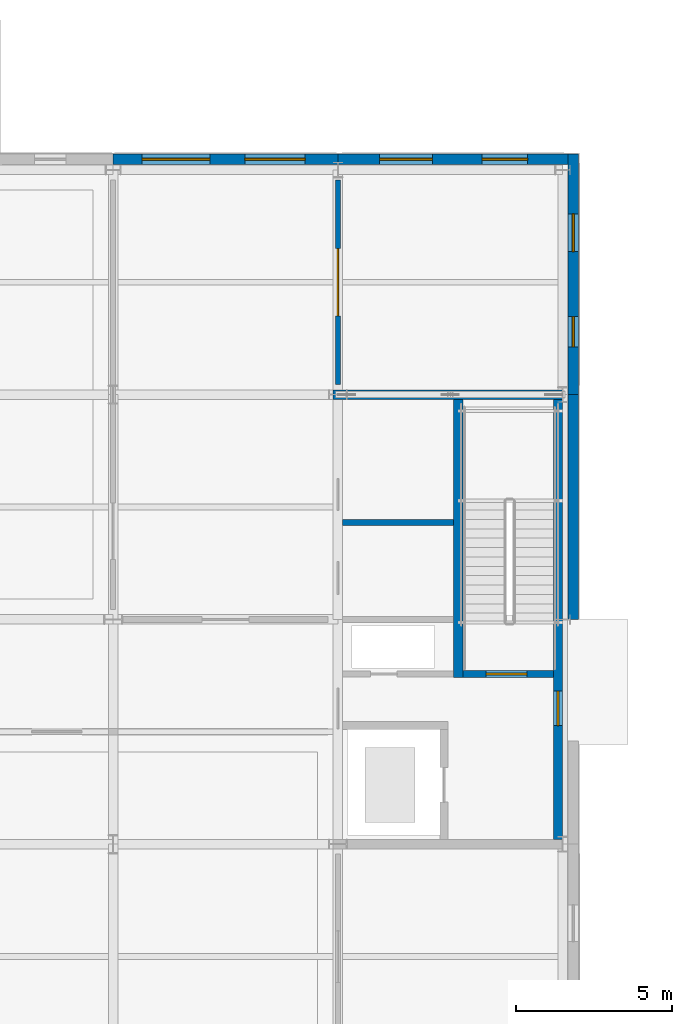
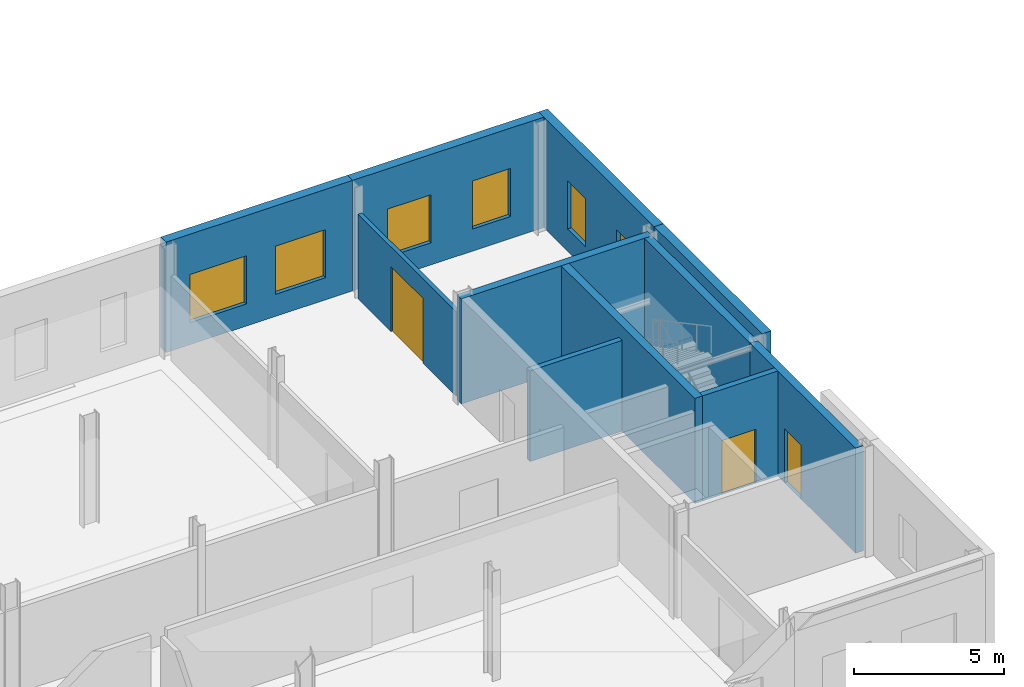
# One storey, part 65 of 92: 11 walls, 6 windows, 3 doors, 9 openings.
"""IFC4 building model written with IfcOpenShell, lengths in metres."""

from ifc_helpers import new_model, si_unit, direction, frame, frame_2d, origin, place, context, subcontext, project, spatial, rectangle, extrude, material, layer, layer_set, type_object, element, fill, save


model = new_model("IFC4")

# Units and contexts
model_context = context("Model", 3, precision=1e-05, world=origin(), true_north=direction((0.0, 1.0)))
body_context = subcontext(model_context, "Body", "Model", "MODEL_VIEW")
ifc_project = project(units=[si_unit("LENGTHUNIT", "METRE"), si_unit("AREAUNIT", "SQUARE_METRE"), si_unit("VOLUMEUNIT", "CUBIC_METRE"), si_unit("PLANEANGLEUNIT", "RADIAN"), si_unit("MASSUNIT", "GRAM", prefix="KILO")], contexts=[model_context])

# Site, building, storey
site_placement = place(None, origin())
site = spatial("IfcSite", under=ifc_project, at=site_placement, CompositionType="ELEMENT")
building_placement = place(site_placement, origin())
building = spatial("IfcBuilding", under=site, at=building_placement, Name="Zlatovets Crest Museum", CompositionType="ELEMENT")
storey_placement = place(building_placement, origin())
storey = spatial("IfcBuildingStorey", under=building, at=storey_placement, Name="L00", CompositionType="ELEMENT", Elevation=0.0)

# Wall
ifc_material_1 = material(Name="Concrete C35/45", Category="concrete")
ifc_layer_1 = layer(ifc_material_1, 0.300048828125)
ifc_layer_set_1 = layer_set([ifc_layer_1], Name="Concrete C35/45")
wall_type_1 = type_object("IfcWallType", Name="CoreWall_SW01", PredefinedType="SHEAR", material=ifc_layer_set_1)
wall_1_placement = place(storey_placement, frame((100.64990234375, 108.0, 0.0), z_axis=(0.0, 0.0, 1.0), x_axis=(1.0, 0.0, 0.0)))
element("IfcWall", 1, at=wall_1_placement, inside=storey, type_object=wall_type_1, Name="Core C6 L00 North Shear Wall", PredefinedType="SHEAR", context=body_context, shape_type="SweptSolid", body=[
    extrude(rectangle(XDim=7.35009765625, YDim=0.300048828125, at=frame_2d((3.675048828125, 0.0))), origin(), (0.0, 0.0, 1.0), 4.280029296875),
])

# Wall, opening, door
wall_2_placement = place(storey_placement, frame((107.85009765625, 93.75, 0.0), z_axis=(0.0, 0.0, 1.0), x_axis=(0.0, 1.0, 0.0)))
wall_2 = element("IfcWall", 2, at=wall_2_placement, inside=storey, type_object=wall_type_1, Name="Core C6 L00 Protected Lobby Exterior Shear Wall", PredefinedType="SHEAR", context=body_context, shape_type="SweptSolid", body=[
    extrude(rectangle(XDim=7.050048828125, YDim=0.300048828125, at=frame_2d((3.52490234375, 0.0))), origin(), (0.0, 0.0, 1.0), 4.280029296875),
])
opening_1_placement = place(wall_2_placement, frame((3.64990234375, 0.0, 0.0)))
opening_1 = element("IfcOpeningElement", 3, at=opening_1_placement, cuts=wall_2, Name="Opening ED-03", PredefinedType="OPENING", context=body_context, shape_type="SweptSolid", body=[
    extrude(rectangle(XDim=1.10009765625, YDim=2.199951171875, at=frame_2d((0.550048828125, 1.10009765625))), frame((0.0, 0.16015625, 0.0), z_axis=(0.0, -1.0, 0.0), x_axis=(1.0, 0.0, 0.0)), (0.0, 0.0, 1.0), 0.320068359375),
])
ifc_material_2 = material(Name="Bronze-clad insulated steel door", Category="steel")
door_type_1 = type_object("IfcDoorType", Name="ExtDoor_ED-03", OperationType="NOTDEFINED", PredefinedType="DOOR", material=ifc_material_2)
door_1_placement = place(opening_1_placement, origin())
door_1 = element("IfcDoor", 4, at=door_1_placement, inside=storey, type_object=door_type_1, Name="ED-ST7-EXIT Stair ST7 Direct Final Exterior Exit Door", OperationType="SINGLE_SWING_LEFT", OverallHeight=2.199951171875, OverallWidth=1.10009765625, PredefinedType="DOOR", context=body_context, shape_type="SweptSolid", body=[
    extrude(rectangle(XDim=1.10009765625, YDim=2.199951171875, at=frame_2d((0.550048828125, 1.10009765625))), frame((0.0, 0.02490234375, 0.0), z_axis=(0.0, -1.0, 0.0), x_axis=(1.0, 0.0, 0.0)), (0.0, 0.0, 1.0), 0.050048828125),
])
fill(opening_1, door_1)

# Walls
wall_3_placement = place(storey_placement, frame((107.85009765625, 100.800048828125, 0.0), z_axis=(0.0, 0.0, 1.0), x_axis=(0.0, 1.0, 0.0)))
element("IfcWall", 5, at=wall_3_placement, inside=storey, type_object=wall_type_1, Name="Core C6 L00 Stairwell Perimeter Shear Wall", PredefinedType="SHEAR", context=body_context, shape_type="SweptSolid", body=[
    extrude(rectangle(XDim=7.050048828125, YDim=0.300048828125, at=frame_2d((3.52490234375, 0.0))), origin(), (0.0, 0.0, 1.0), 4.280029296875),
])
wall_4_placement = place(storey_placement, frame((104.64990234375, 98.93994140625, 0.0), z_axis=(0.0, 0.0, 1.0), x_axis=(0.0, 1.0, 0.0)))
element("IfcWall", 6, at=wall_4_placement, inside=storey, type_object=wall_type_1, Name="Core C6 L00 Stair Divider Wall", PredefinedType="SHEAR", context=body_context, shape_type="SweptSolid", body=[
    extrude(rectangle(XDim=8.91015625, YDim=0.300048828125, at=frame_2d((4.455078125, 0.0))), origin(), (0.0, 0.0, 1.0), 4.280029296875),
])

# Wall, opening, door
ifc_layer_2 = layer(ifc_material_1, 0.25)
ifc_layer_set_2 = layer_set([ifc_layer_2], Name="Concrete C35/45")
wall_type_2 = type_object("IfcWallType", Name="CoreWall_SW02", PredefinedType="SHEAR", material=ifc_layer_set_2)
wall_5_placement = place(storey_placement, frame((104.800048828125, 99.050048828125, 0.0), z_axis=(0.0, 0.0, 1.0), x_axis=(1.0, 0.0, 0.0)))
wall_5 = element("IfcWall", 7, at=wall_5_placement, inside=storey, type_object=wall_type_2, Name="Core C6 L00 Stairwell Fire Wall", PredefinedType="SHEAR", context=body_context, shape_type="SweptSolid", body=[
    extrude(rectangle(XDim=2.89990234375, YDim=0.219970703125, at=frame_2d((1.449951171875, 0.0))), origin(), (0.0, 0.0, 1.0), 4.280029296875),
])
opening_2_placement = place(wall_5_placement, frame((0.75, 0.0, 0.0)))
opening_2 = element("IfcOpeningElement", 8, at=opening_2_placement, cuts=wall_5, Name="Opening FD-01", PredefinedType="OPENING", context=body_context, shape_type="SweptSolid", body=[
    extrude(rectangle(XDim=1.300048828125, YDim=2.199951171875, at=frame_2d((0.64990234375, 1.10009765625))), frame((0.0, 0.1201171875, 0.0), z_axis=(0.0, -1.0, 0.0), x_axis=(1.0, 0.0, 0.0)), (0.0, 0.0, 1.0), 0.239990234375),
])
ifc_material_3 = material(Name="Smoke-sealed steel fire door", Category="steel")
door_type_2 = type_object("IfcDoorType", Name="IntDoor_FD-01", OperationType="NOTDEFINED", PredefinedType="DOOR", material=ifc_material_3)
door_2_placement = place(opening_2_placement, origin())
door_2 = element("IfcDoor", 9, at=door_2_placement, inside=storey, type_object=door_type_2, Name="SDOOR-ST7-L00 Stair ST7 L00 Fire Door", OperationType="SINGLE_SWING_LEFT", OverallHeight=2.199951171875, OverallWidth=1.300048828125, PredefinedType="DOOR", context=body_context, shape_type="SweptSolid", body=[
    extrude(rectangle(XDim=1.300048828125, YDim=2.199951171875, at=frame_2d((0.64990234375, 1.10009765625))), frame((0.0, 0.02490234375, 0.0), z_axis=(0.0, -1.0, 0.0), x_axis=(1.0, 0.0, 0.0)), (0.0, 0.0, 1.0), 0.050048828125),
])
fill(opening_2, door_2)

# Wall
ifc_material_4 = material(Name="Vratsa limestone ashlar masonry and mineral wool", Category="masonry")
ifc_layer_3 = layer(ifc_material_4, 0.35009765625)
ifc_layer_set_3 = layer_set([ifc_layer_3], Name="Vratsa limestone ashlar masonry and mineral wool")
wall_type_3 = type_object("IfcWallType", Name="ExtWall_EW-01", PredefinedType="STANDARD", material=ifc_layer_set_3)
wall_6_placement = place(storey_placement, frame((108.340087890625, 100.800048828125, 0.0), z_axis=(0.0, 0.0, 1.0), x_axis=(0.0, 1.0, 0.0)))
element("IfcWall", 10, at=wall_6_placement, inside=storey, type_object=wall_type_3, Name="V1 L00 Vratsa Limestone Core Plinth", PredefinedType="STANDARD", context=body_context, shape_type="SweptSolid", body=[
    extrude(rectangle(XDim=7.199951171875, YDim=0.35009765625, at=frame_2d((3.60009765625, 0.0))), origin(), (0.0, 0.0, 1.0), 4.5),
])

# Wall, openings, windows
wall_7_placement = place(storey_placement, frame((108.340087890625, 108.0, 0.0), z_axis=(0.0, 0.0, 1.0), x_axis=(0.0, 1.0, 0.0)))
wall_7 = element("IfcWall", 11, at=wall_7_placement, inside=storey, type_object=wall_type_3, Name="V1 L00 Vratsa Limestone Plinth Wall", PredefinedType="STANDARD", context=body_context, shape_type="SweptSolid", body=[
    extrude(rectangle(XDim=7.715087890625, YDim=0.35009765625, at=frame_2d((3.857421875, 0.0))), origin(), (0.0, 0.0, 1.0), 4.5),
])
opening_3_placement = place(wall_7_placement, frame((1.531005859375, 0.0, 0.89990234375)))
opening_3 = element("IfcOpeningElement", 12, at=opening_3_placement, cuts=wall_7, Name="Opening WN-34", PredefinedType="OPENING", context=body_context, shape_type="SweptSolid", body=[
    extrude(rectangle(XDim=0.969970703125, YDim=1.9599609375, at=frame_2d((0.48486328125, 0.97998046875))), frame((0.0, 0.18505859375, 0.0), z_axis=(0.0, -1.0, 0.0), x_axis=(1.0, 0.0, 0.0)), (0.0, 0.0, 1.0), 0.3701171875),
])
opening_4_placement = place(wall_7_placement, frame((4.5791015625, 0.0, 0.89990234375)))
opening_4 = element("IfcOpeningElement", 13, at=opening_4_placement, cuts=wall_7, Name="Opening WN-35", PredefinedType="OPENING", context=body_context, shape_type="SweptSolid", body=[
    extrude(rectangle(XDim=1.2099609375, YDim=1.9599609375, at=frame_2d((0.60498046875, 0.97998046875))), frame((0.0, 0.18505859375, 0.0), z_axis=(0.0, -1.0, 0.0), x_axis=(1.0, 0.0, 0.0)), (0.0, 0.0, 1.0), 0.3701171875),
])
ifc_material_5 = material(Name="Bronze-anodised aluminium frame with low-E triple glass", Category="aluminium")
window_type_1 = type_object("IfcWindowType", Name="Win_WN-34", PartitioningType="SINGLE_PANEL", PredefinedType="WINDOW", material=ifc_material_5)
window_1_placement = place(opening_3_placement, origin())
window_1 = element("IfcWindow", 14, at=window_1_placement, inside=storey, type_object=window_type_1, Name="V1 L00 Secession Plinth Window WN-34", OverallHeight=1.9599609375, OverallWidth=0.969970703125, PartitioningType="SINGLE_PANEL", PredefinedType="WINDOW", context=body_context, shape_type="SweptSolid", body=[
    extrude(rectangle(XDim=0.969970703125, YDim=1.9599609375, at=frame_2d((0.48486328125, 0.97998046875))), frame((0.0, 0.030029296875, 0.0), z_axis=(0.0, -1.0, 0.0), x_axis=(1.0, 0.0, 0.0)), (0.0, 0.0, 1.0), 0.06005859375),
])
fill(opening_3, window_1)
window_type_2 = type_object("IfcWindowType", Name="Win_WN-35", PartitioningType="SINGLE_PANEL", PredefinedType="WINDOW", material=ifc_material_5)
window_2_placement = place(opening_4_placement, origin())
window_2 = element("IfcWindow", 15, at=window_2_placement, inside=storey, type_object=window_type_2, Name="V1 L00 Secession Plinth Window WN-35", OverallHeight=1.9599609375, OverallWidth=1.2099609375, PartitioningType="SINGLE_PANEL", PredefinedType="WINDOW", context=body_context, shape_type="SweptSolid", body=[
    extrude(rectangle(XDim=1.2099609375, YDim=1.9599609375, at=frame_2d((0.60498046875, 0.97998046875))), frame((0.0, 0.030029296875, 0.0), z_axis=(0.0, -1.0, 0.0), x_axis=(1.0, 0.0, 0.0)), (0.0, 0.0, 1.0), 0.06005859375),
])
fill(opening_4, window_2)

wall_8_placement = place(storey_placement, frame((108.1650390625, 115.5400390625, 0.0), z_axis=(0.0, 0.0, 1.0), x_axis=(-1.0, 0.0, 0.0)))
wall_8 = element("IfcWall", 16, at=wall_8_placement, inside=storey, type_object=wall_type_3, Name="V1 L00 Vratsa Limestone Plinth Wall", PredefinedType="STANDARD", context=body_context, shape_type="SweptSolid", body=[
    extrude(rectangle(XDim=7.364990234375, YDim=0.35009765625, at=frame_2d((3.6826171875, 0.0))), origin(), (0.0, 0.0, 1.0), 4.5),
])
opening_5_placement = place(wall_8_placement, frame((1.291015625, 0.0, 0.89990234375)))
opening_5 = element("IfcOpeningElement", 17, at=opening_5_placement, cuts=wall_8, Name="Opening WN-36", PredefinedType="OPENING", context=body_context, shape_type="SweptSolid", body=[
    extrude(rectangle(XDim=1.449951171875, YDim=1.9599609375, at=frame_2d((0.72509765625, 0.97998046875))), frame((0.0, 0.18505859375, 0.0), z_axis=(0.0, -1.0, 0.0), x_axis=(1.0, 0.0, 0.0)), (0.0, 0.0, 1.0), 0.3701171875),
])
opening_6_placement = place(wall_8_placement, frame((4.339111328125, 0.0, 0.89990234375)))
opening_6 = element("IfcOpeningElement", 18, at=opening_6_placement, cuts=wall_8, Name="Opening WN-37", PredefinedType="OPENING", context=body_context, shape_type="SweptSolid", body=[
    extrude(rectangle(XDim=1.68994140625, YDim=1.9599609375, at=frame_2d((0.844970703125, 0.97998046875))), frame((0.0, 0.18505859375, 0.0), z_axis=(0.0, -1.0, 0.0), x_axis=(1.0, 0.0, 0.0)), (0.0, 0.0, 1.0), 0.3701171875),
])
window_type_3 = type_object("IfcWindowType", Name="Win_WN-36", PartitioningType="SINGLE_PANEL", PredefinedType="WINDOW", material=ifc_material_5)
window_3_placement = place(opening_5_placement, origin())
window_3 = element("IfcWindow", 19, at=window_3_placement, inside=storey, type_object=window_type_3, Name="V1 L00 Secession Plinth Window WN-36", OverallHeight=1.9599609375, OverallWidth=1.449951171875, PartitioningType="SINGLE_PANEL", PredefinedType="WINDOW", context=body_context, shape_type="SweptSolid", body=[
    extrude(rectangle(XDim=1.449951171875, YDim=1.9599609375, at=frame_2d((0.72509765625, 0.97998046875))), frame((0.0, 0.030029296875, 0.0), z_axis=(0.0, -1.0, 0.0), x_axis=(1.0, 0.0, 0.0)), (0.0, 0.0, 1.0), 0.06005859375),
])
fill(opening_5, window_3)
window_type_4 = type_object("IfcWindowType", Name="Win_WN-37", PartitioningType="SINGLE_PANEL", PredefinedType="WINDOW", material=ifc_material_5)
window_4_placement = place(opening_6_placement, origin())
window_4 = element("IfcWindow", 20, at=window_4_placement, inside=storey, type_object=window_type_4, Name="V1 L00 Secession Plinth Window WN-37", OverallHeight=1.9599609375, OverallWidth=1.68994140625, PartitioningType="SINGLE_PANEL", PredefinedType="WINDOW", context=body_context, shape_type="SweptSolid", body=[
    extrude(rectangle(XDim=1.68994140625, YDim=1.9599609375, at=frame_2d((0.844970703125, 0.97998046875))), frame((0.0, 0.030029296875, 0.0), z_axis=(0.0, -1.0, 0.0), x_axis=(1.0, 0.0, 0.0)), (0.0, 0.0, 1.0), 0.06005859375),
])
fill(opening_6, window_4)

wall_9_placement = place(storey_placement, frame((100.800048828125, 115.5400390625, 0.0), z_axis=(0.0, 0.0, 1.0), x_axis=(-1.0, 0.0, 0.0)))
wall_9 = element("IfcWall", 21, at=wall_9_placement, inside=storey, type_object=wall_type_3, Name="V1 L00 Vratsa Limestone Plinth Wall", PredefinedType="STANDARD", context=body_context, shape_type="SweptSolid", body=[
    extrude(rectangle(XDim=7.199951171875, YDim=0.35009765625, at=frame_2d((3.60009765625, 0.0))), origin(), (0.0, 0.0, 1.0), 4.5),
])
opening_7_placement = place(wall_9_placement, frame((1.051025390625, 0.0, 0.89990234375)))
opening_7 = element("IfcOpeningElement", 22, at=opening_7_placement, cuts=wall_9, Name="Opening WN-38", PredefinedType="OPENING", context=body_context, shape_type="SweptSolid", body=[
    extrude(rectangle(XDim=1.929931640625, YDim=1.9599609375, at=frame_2d((0.96484375, 0.97998046875))), frame((0.0, 0.18505859375, 0.0), z_axis=(0.0, -1.0, 0.0), x_axis=(1.0, 0.0, 0.0)), (0.0, 0.0, 1.0), 0.3701171875),
])
opening_8_placement = place(wall_9_placement, frame((4.09912109375, 0.0, 0.89990234375)))
opening_8 = element("IfcOpeningElement", 23, at=opening_8_placement, cuts=wall_9, Name="Opening WN-39", PredefinedType="OPENING", context=body_context, shape_type="SweptSolid", body=[
    extrude(rectangle(XDim=2.169921875, YDim=1.9599609375, at=frame_2d((1.0849609375, 0.97998046875))), frame((0.0, 0.18505859375, 0.0), z_axis=(0.0, -1.0, 0.0), x_axis=(1.0, 0.0, 0.0)), (0.0, 0.0, 1.0), 0.3701171875),
])
window_type_5 = type_object("IfcWindowType", Name="Win_WN-38", PartitioningType="SINGLE_PANEL", PredefinedType="WINDOW", material=ifc_material_5)
window_5_placement = place(opening_7_placement, origin())
window_5 = element("IfcWindow", 24, at=window_5_placement, inside=storey, type_object=window_type_5, Name="V1 L00 Secession Plinth Window WN-38", OverallHeight=1.9599609375, OverallWidth=1.929931640625, PartitioningType="SINGLE_PANEL", PredefinedType="WINDOW", context=body_context, shape_type="SweptSolid", body=[
    extrude(rectangle(XDim=1.929931640625, YDim=1.9599609375, at=frame_2d((0.96484375, 0.97998046875))), frame((0.0, 0.030029296875, 0.0), z_axis=(0.0, -1.0, 0.0), x_axis=(1.0, 0.0, 0.0)), (0.0, 0.0, 1.0), 0.06005859375),
])
fill(opening_7, window_5)
window_type_6 = type_object("IfcWindowType", Name="Win_WN-39", PartitioningType="SINGLE_PANEL", PredefinedType="WINDOW", material=ifc_material_5)
window_6_placement = place(opening_8_placement, origin())
window_6 = element("IfcWindow", 25, at=window_6_placement, inside=storey, type_object=window_type_6, Name="V1 L00 Secession Plinth Window WN-39", OverallHeight=1.9599609375, OverallWidth=2.169921875, PartitioningType="SINGLE_PANEL", PredefinedType="WINDOW", context=body_context, shape_type="SweptSolid", body=[
    extrude(rectangle(XDim=2.169921875, YDim=1.9599609375, at=frame_2d((1.0849609375, 0.97998046875))), frame((0.0, 0.030029296875, 0.0), z_axis=(0.0, -1.0, 0.0), x_axis=(1.0, 0.0, 0.0)), (0.0, 0.0, 1.0), 0.06005859375),
])
fill(opening_8, window_6)

# Wall, opening, door
ifc_material_6 = material(Name="Acoustic museum gallery stud partition")
ifc_layer_4 = layer(ifc_material_6, 0.159912109375)
ifc_layer_set_4 = layer_set([ifc_layer_4], Name="Acoustic museum gallery stud partition")
wall_type_4 = type_object("IfcWallType", Name="PartWall_PT-02", PredefinedType="PARTITIONING", material=ifc_layer_set_4)
wall_10_placement = place(storey_placement, frame((100.800048828125, 108.320068359375, 0.0), z_axis=(0.0, 0.0, 1.0), x_axis=(0.0, 1.0, 0.0)))
wall_10 = element("IfcWall", 26, at=wall_10_placement, inside=storey, type_object=wall_type_4, Name="V1 L00 Interior Partition PT-02", PredefinedType="PARTITIONING", context=body_context, shape_type="SweptSolid", body=[
    extrude(rectangle(XDim=6.559814453125, YDim=0.159912109375, at=frame_2d((3.27978515625, 0.0))), origin(), (0.0, 0.0, 1.0), 3.449951171875),
])
opening_9_placement = place(wall_10_placement, frame((2.205078125, 0.0, 0.0)))
opening_9 = element("IfcOpeningElement", 27, at=opening_9_placement, cuts=wall_10, Name="Opening ID-27", PredefinedType="OPENING", context=body_context, shape_type="SweptSolid", body=[
    extrude(rectangle(XDim=2.14990234375, YDim=2.64990234375, at=frame_2d((1.074951171875, 1.324951171875))), frame((0.0, 0.08984375, 0.0), z_axis=(0.0, -1.0, 0.0), x_axis=(1.0, 0.0, 0.0)), (0.0, 0.0, 1.0), 0.179931640625),
])
ifc_material_7 = material(Name="Monumental sculpture hall portal")
door_type_3 = type_object("IfcDoorType", Name="IntDoor_ID-27", OperationType="DOUBLE_DOOR_SINGLE_SWING", PredefinedType="DOOR", material=ifc_material_7)
door_3_placement = place(opening_9_placement, origin())
door_3 = element("IfcDoor", 28, at=door_3_placement, inside=storey, type_object=door_type_3, Name="IDOOR-V1-L00-0054 Natural Science Education Studio to Botanical Press Study Door", OperationType="DOUBLE_DOOR_SINGLE_SWING", OverallHeight=2.64990234375, OverallWidth=2.14990234375, PredefinedType="DOOR", context=body_context, shape_type="SweptSolid", body=[
    extrude(rectangle(XDim=2.14990234375, YDim=2.64990234375, at=frame_2d((1.074951171875, 1.324951171875))), frame((0.0, 0.02490234375, 0.0), z_axis=(0.0, -1.0, 0.0), x_axis=(1.0, 0.0, 0.0)), (0.0, 0.0, 1.0), 0.050048828125),
])
fill(opening_9, door_3)

# Wall
ifc_material_8 = material(Name="Sanitary core acoustic service wall")
ifc_layer_5 = layer(ifc_material_8, 0.219970703125)
ifc_layer_set_5 = layer_set([ifc_layer_5], Name="Sanitary core acoustic service wall")
wall_type_5 = type_object("IfcWallType", Name="PartWall_PT-04", PredefinedType="PLUMBINGWALL", material=ifc_layer_set_5)
wall_11_placement = place(storey_placement, frame((100.949951171875, 103.89990234375, 0.0), z_axis=(0.0, 0.0, 1.0), x_axis=(1.0, 0.0, 0.0)))
element("IfcWall", 29, at=wall_11_placement, inside=storey, type_object=wall_type_5, Name="Core C6 L00 Sanitary Divider", PredefinedType="PLUMBINGWALL", context=body_context, shape_type="SweptSolid", body=[
    extrude(rectangle(XDim=3.550048828125, YDim=0.199951171875, at=frame_2d((1.77490234375, 0.0))), origin(), (0.0, 0.0, 1.0), 3.699951171875),
])

save(model, "model.ifc")
